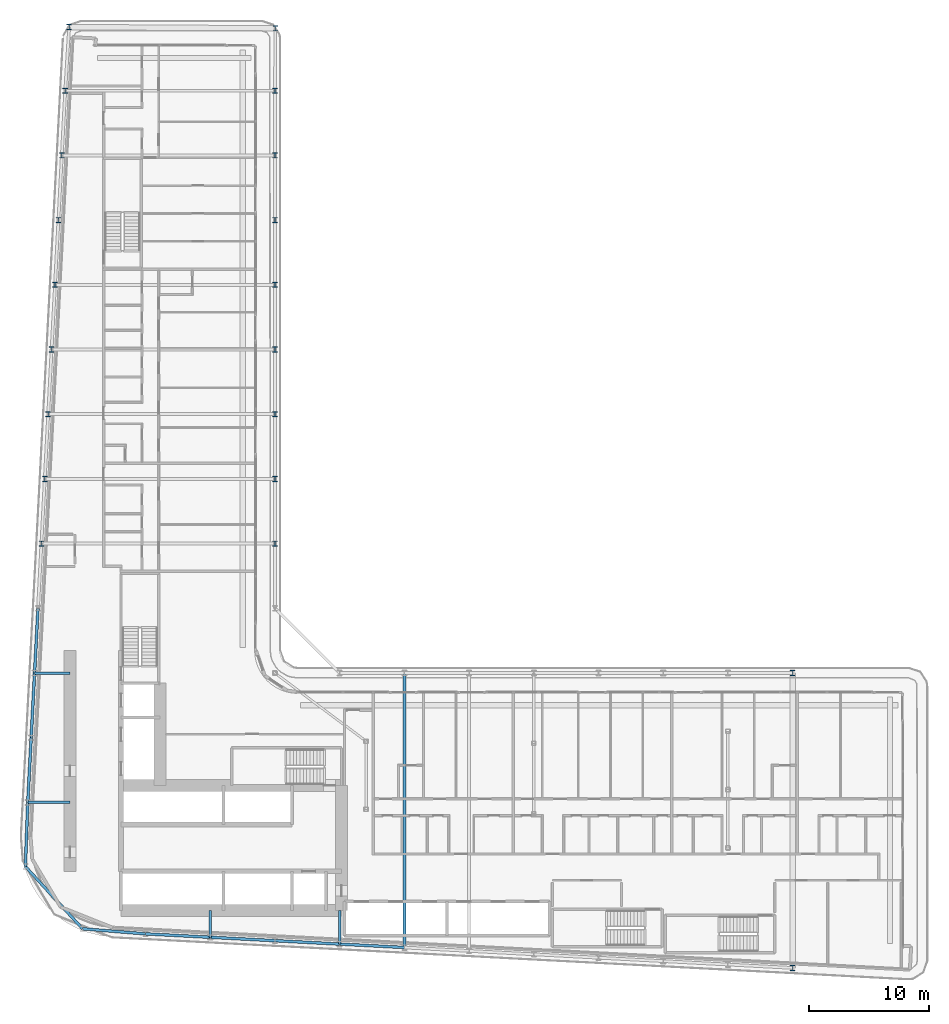
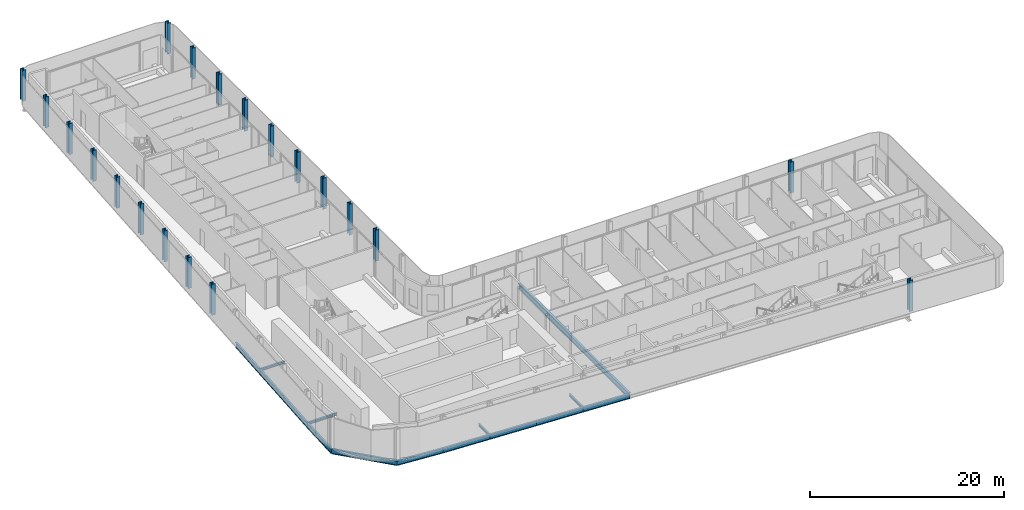
# One storey, part 3 of 28: 20 columns, 15 beams.
"""IFC4 building model written with IfcOpenShell, lengths in metres."""

from ifc_helpers import new_model, si_unit, direction, frame, origin, origin_2d, place, context, subcontext, project, spatial, i_section, extrude, material, material_profile, profile_set, type_object, element, save


model = new_model("IFC4")

# Units and contexts
model_context = context("Model", 3, precision=1e-05, world=origin(), true_north=direction((0.0, 1.0)))
body_context = subcontext(model_context, "Body", "Model", "MODEL_VIEW")
ifc_project = project(units=[si_unit("LENGTHUNIT", "METRE"), si_unit("AREAUNIT", "SQUARE_METRE"), si_unit("VOLUMEUNIT", "CUBIC_METRE"), si_unit("PLANEANGLEUNIT", "RADIAN"), si_unit("MASSUNIT", "GRAM", prefix="KILO")], contexts=[model_context])

# Site, building, storey
site_placement = place(None, origin())
site = spatial("IfcSite", under=ifc_project, at=site_placement, CompositionType="ELEMENT")
building_placement = place(site_placement, origin())
building = spatial("IfcBuilding", under=site, at=building_placement, Name="Kheshtan School and Residences Tower", CompositionType="ELEMENT")
storey_placement = place(building_placement, frame((0.0, 0.0, 73.39990234375)))
storey = spatial("IfcBuildingStorey", under=building, at=storey_placement, Name="L17", CompositionType="ELEMENT", Elevation=73.39990234375)

# Columns
ifc_material = material(Name="Steel ASTM A992 Grade 50", Category="steel")
ifc_material_profile_1 = material_profile(ifc_material, i_section(OverallWidth=0.424072265625, OverallDepth=0.47412109375, WebThickness=0.047607421875, FlangeThickness=0.0771484375, FilletRadius=0.01416015625, at=origin_2d()), Name="W360x634")
ifc_profile_set_1 = profile_set([ifc_material_profile_1], Name="Steel ASTM A992 Grade 50")
column_type = type_object("IfcColumnType", Name="Column C1 W360x634 ASTM A992 Grade 50", PredefinedType="COLUMN", material=ifc_profile_set_1)
for number, where, z_axis, x_axis, name in (
    (1, (90.800048828125, 20.989990234375, 0.0), (0.0, 0.0, 1.0), (1.0, 0.0, 0.0), "Column C006"),
    (2, (90.800048828125, 45.60009765625, 0.0), (0.0, 0.0, 1.0), (1.0, 0.0, 0.0), "Column C068"),
    (3, (28.10595703125, 56.39990234375, 0.0), (0.0, 0.0, 1.0), (1.0, 0.0, 0.0), "Column C080"),
    (4, (47.60009765625, 56.39990234375, 0.0), (0.0, 0.0, 1.0), (1.0, 0.0, 0.0), "Column C081"),
    (5, (28.389892578125, 61.800048828125, 0.0), (0.0, 0.0, 1.0), (1.0, 0.0, 0.0), "Column C082"),
    (6, (47.60009765625, 61.800048828125, 0.0), (0.0, 0.0, 1.0), (1.0, 0.0, 0.0), "Column C083"),
    (7, (28.674072265625, 67.199951171875, 0.0), (0.0, 0.0, 1.0), (1.0, 0.0, 0.0), "Column C084"),
    (8, (47.60009765625, 67.199951171875, 0.0), (0.0, 0.0, 1.0), (1.0, 0.0, 0.0), "Column C085"),
    (9, (28.9580078125, 72.60009765625, 0.0), (0.0, 0.0, 1.0), (1.0, 0.0, 0.0), "Column C086"),
    (10, (47.60009765625, 72.60009765625, 0.0), (0.0, 0.0, 1.0), (1.0, 0.0, 0.0), "Column C087"),
    (11, (29.242919921875, 78.0, 0.0), (0.0, 0.0, 1.0), (1.0, 0.0, 0.0), "Column C088"),
    (12, (47.60009765625, 78.0, 0.0), (0.0, 0.0, 1.0), (1.0, 0.0, 0.0), "Column C089"),
    (13, (29.527099609375, 83.39990234375, 0.0), (0.0, 0.0, 1.0), (1.0, 0.0, 0.0), "Column C090"),
    (14, (47.60009765625, 83.39990234375, 0.0), (0.0, 0.0, 1.0), (1.0, 0.0, 0.0), "Column C091"),
    (15, (29.81103515625, 88.800048828125, 0.0), (0.0, 0.0, 1.0), (1.0, 0.0, 0.0), "Column C098"),
    (16, (47.60009765625, 88.800048828125, 0.0), (0.0, 0.0, 1.0), (1.0, 0.0, 0.0), "Column C099"),
    (17, (30.094970703125, 94.199951171875, 0.0), (0.0, 0.0, 1.0), (1.0, 0.0, 0.0), "Column C106"),
    (18, (47.60009765625, 94.199951171875, 0.0), (0.0, 0.0, 1.0), (1.0, 0.0, 0.0), "Column C107"),
    (19, (47.6298828125, 99.402099609375, 0.0), (0.0, 0.0, 1.0), (1.0, 0.0, 0.0), "Column C113"),
    (20, (30.424072265625, 99.510009765625, 0.0), (0.0, 0.0, 1.0), (1.0, 0.0, 0.0), "Column C121"),
):
    element("IfcColumn", number, at=place(storey_placement, frame(where, z_axis=z_axis, x_axis=x_axis)), inside=storey, type_object=column_type, Name=name, PredefinedType="COLUMN", context=body_context, shape_type="SweptSolid", body=[
        extrude(i_section(OverallWidth=0.424072265625, OverallDepth=0.47412109375, WebThickness=0.047607421875, FlangeThickness=0.0771484375, FilletRadius=0.01416015625, at=origin_2d()), origin(), (0.0, 0.0, 1.0), 3.900146484375),
    ])

# Beams
ifc_material_profile_2 = material_profile(ifc_material, i_section(OverallWidth=0.202880859375, OverallDepth=0.302978515625, WebThickness=0.007568359375, FlangeThickness=0.01318359375, FilletRadius=0.009033203125, at=origin_2d()), Name="W310x60")
ifc_profile_set_2 = profile_set([ifc_material_profile_2], Name="Steel ASTM A992 Grade 50")
beam_type_1 = type_object("IfcBeamType", Name="Beam FB1 W310x60 ASTM A992 Grade 50", PredefinedType="BEAM", material=ifc_profile_set_2)
beam_1_placement = place(storey_placement, frame((53.0, 22.97998046875, -0.301513671875), z_axis=(0.0, 1.0, 0.0), x_axis=(-1.0, 0.0, 0.0)))
element("IfcBeam", 21, at=beam_1_placement, inside=storey, type_object=beam_type_1, Name="Floor beam C019", PredefinedType="BEAM", context=body_context, shape_type="SweptSolid", body=[
    extrude(i_section(OverallWidth=0.202880859375, OverallDepth=0.302978515625, WebThickness=0.007568359375, FlangeThickness=0.01318359375, FilletRadius=0.009033203125, at=origin_2d()), origin(), (0.0, 0.0, 1.0), 2.820068359375),
])
beam_2_placement = place(storey_placement, frame((42.199951171875, 23.548095703125, -0.301513671875), z_axis=(0.0, 1.0, 0.0), x_axis=(-1.0, 0.0, 0.0)))
element("IfcBeam", 22, at=beam_2_placement, inside=storey, type_object=beam_type_1, Name="Floor beam C021", PredefinedType="BEAM", context=body_context, shape_type="SweptSolid", body=[
    extrude(i_section(OverallWidth=0.202880859375, OverallDepth=0.302978515625, WebThickness=0.007568359375, FlangeThickness=0.01318359375, FilletRadius=0.009033203125, at=origin_2d()), origin(), (0.0, 0.0, 1.0), 2.251953125),
])
beam_3_placement = place(storey_placement, frame((26.968994140625, 34.800048828125, -0.301513671875), z_axis=(1.0, 0.0, 0.0), x_axis=(0.0, 1.0, 0.0)))
element("IfcBeam", 23, at=beam_3_placement, inside=storey, type_object=beam_type_1, Name="Floor beam C052", PredefinedType="BEAM", context=body_context, shape_type="SweptSolid", body=[
    extrude(i_section(OverallWidth=0.202880859375, OverallDepth=0.302978515625, WebThickness=0.007568359375, FlangeThickness=0.01318359375, FilletRadius=0.009033203125, at=origin_2d()), origin(), (0.0, 0.0, 1.0), 3.531005859375),
])
beam_4_placement = place(storey_placement, frame((27.537109375, 45.60009765625, -0.301513671875), z_axis=(1.0, 0.0, 0.0), x_axis=(0.0, 1.0, 0.0)))
element("IfcBeam", 24, at=beam_4_placement, inside=storey, type_object=beam_type_1, Name="Floor beam C059", PredefinedType="BEAM", context=body_context, shape_type="SweptSolid", body=[
    extrude(i_section(OverallWidth=0.202880859375, OverallDepth=0.302978515625, WebThickness=0.007568359375, FlangeThickness=0.01318359375, FilletRadius=0.009033203125, at=origin_2d()), origin(), (0.0, 0.0, 1.0), 2.962890625),
])
ifc_material_profile_3 = material_profile(ifc_material, i_section(OverallWidth=0.2529296875, OverallDepth=0.677978515625, WebThickness=0.01171875, FlangeThickness=0.016357421875, FilletRadius=0.0146484375, at=origin_2d()), Name="W690x125")
ifc_profile_set_3 = profile_set([ifc_material_profile_3], Name="Steel ASTM A992 Grade 50")
beam_type_2 = type_object("IfcBeamType", Name="Beam FB6 W690x125 ASTM A992 Grade 50", PredefinedType="BEAM", material=ifc_profile_set_3)
beam_5_placement = place(storey_placement, frame((58.39990234375, 45.60009765625, -0.489013671875), z_axis=(0.0, -1.0, 0.0), x_axis=(1.0, 0.0, 0.0)))
element("IfcBeam", 25, at=beam_5_placement, inside=storey, type_object=beam_type_2, Name="Floor beam C062", PredefinedType="BEAM", context=body_context, shape_type="SweptSolid", body=[
    extrude(i_section(OverallWidth=0.2529296875, OverallDepth=0.677978515625, WebThickness=0.01171875, FlangeThickness=0.016357421875, FilletRadius=0.0146484375, at=origin_2d()), origin(), (0.0, 0.0, 1.0), 22.905029296875),
])
ifc_material_profile_4 = material_profile(ifc_material, i_section(OverallWidth=0.22998046875, OverallDepth=0.616943359375, WebThickness=0.01318359375, FlangeThickness=0.022216796875, FilletRadius=0.0185546875, at=origin_2d()), Name="W610x140")
ifc_profile_set_4 = profile_set([ifc_material_profile_4], Name="Steel ASTM A992 Grade 50")
beam_type_3 = type_object("IfcBeamType", Name="Beam SP1 W610x140 ASTM A992 Grade 50", PredefinedType="BEAM", material=ifc_profile_set_4)
for number, where, z_axis, x_axis, name in (
    (26, (58.39990234375, 22.695068359375, -0.45849609375), (-0.998610961136, 0.052689166816, 0.0), (-0.052689166816, -0.998610961136, 0.0), "Spandrel beam C018-C019"),
    (27, (53.0, 22.97998046875, -0.45849609375), (-0.998620447272, 0.05250906864, 0.0), (-0.05250906864, -0.998620447272, 0.0), "Spandrel beam C019-C020"),
):
    element("IfcBeam", number, at=place(storey_placement, frame(where, z_axis=z_axis, x_axis=x_axis)), inside=storey, type_object=beam_type_3, Name=name, PredefinedType="BEAM", context=body_context, shape_type="SweptSolid", body=[
        extrude(i_section(OverallWidth=0.22998046875, OverallDepth=0.616943359375, WebThickness=0.01318359375, FlangeThickness=0.022216796875, FilletRadius=0.0185546875, at=origin_2d()), origin(), (0.0, 0.0, 1.0), 5.407470703125),
    ])
beam_6_placement = place(storey_placement, frame((47.60009765625, 23.263916015625, -0.45849609375), z_axis=(-0.998618203458, 0.052551724256, 0.0), x_axis=(-0.052551724256, -0.998618203458, 0.0)))
element("IfcBeam", 28, at=beam_6_placement, inside=storey, type_object=beam_type_3, Name="Spandrel beam C020-C021", PredefinedType="BEAM", context=body_context, shape_type="SweptSolid", body=[
    extrude(i_section(OverallWidth=0.22998046875, OverallDepth=0.616943359375, WebThickness=0.01318359375, FlangeThickness=0.022216796875, FilletRadius=0.0185546875, at=origin_2d()), origin(), (0.0, 0.0, 1.0), 5.40771484375),
])
beam_7_placement = place(storey_placement, frame((42.199951171875, 23.548095703125, -0.45849609375), z_axis=(-0.998620447272, 0.05250906864, 0.0), x_axis=(-0.05250906864, -0.998620447272, 0.0)))
element("IfcBeam", 29, at=beam_7_placement, inside=storey, type_object=beam_type_3, Name="Spandrel beam C021-C022", PredefinedType="BEAM", context=body_context, shape_type="SweptSolid", body=[
    extrude(i_section(OverallWidth=0.22998046875, OverallDepth=0.616943359375, WebThickness=0.01318359375, FlangeThickness=0.022216796875, FilletRadius=0.0185546875, at=origin_2d()), origin(), (0.0, 0.0, 1.0), 5.407470703125),
])
beam_8_placement = place(storey_placement, frame((36.800048828125, 23.83203125, -0.45849609375), z_axis=(-0.996748565693, 0.08057479003, 0.0), x_axis=(-0.08057479003, -0.996748565693, 0.0)))
element("IfcBeam", 30, at=beam_8_placement, inside=storey, type_object=beam_type_3, Name="Spandrel beam C022-C025", PredefinedType="BEAM", context=body_context, shape_type="SweptSolid", body=[
    extrude(i_section(OverallWidth=0.22998046875, OverallDepth=0.616943359375, WebThickness=0.01318359375, FlangeThickness=0.022216796875, FilletRadius=0.0185546875, at=origin_2d()), origin(), (0.0, 0.0, 1.0), 5.275146484375),
])
beam_9_placement = place(storey_placement, frame((31.5419921875, 24.257080078125, -0.45849609375), z_axis=(-0.676418406149, 0.736517576045, 0.0), x_axis=(-0.736517576045, -0.676418406149, 0.0)))
element("IfcBeam", 31, at=beam_9_placement, inside=storey, type_object=beam_type_3, Name="Spandrel beam C025-C038", PredefinedType="BEAM", context=body_context, shape_type="SweptSolid", body=[
    extrude(i_section(OverallWidth=0.22998046875, OverallDepth=0.616943359375, WebThickness=0.01318359375, FlangeThickness=0.022216796875, FilletRadius=0.0185546875, at=origin_2d()), origin(), (0.0, 0.0, 1.0), 7.05615234375),
])
beam_10_placement = place(storey_placement, frame((26.76904296875, 29.4541015625, -0.45849609375), z_axis=(0.037376249491, 0.999301263871, 0.0), x_axis=(-0.999301263871, 0.037376249491, 0.0)))
element("IfcBeam", 32, at=beam_10_placement, inside=storey, type_object=beam_type_3, Name="Spandrel beam C038-C052", PredefinedType="BEAM", context=body_context, shape_type="SweptSolid", body=[
    extrude(i_section(OverallWidth=0.22998046875, OverallDepth=0.616943359375, WebThickness=0.01318359375, FlangeThickness=0.022216796875, FilletRadius=0.0185546875, at=origin_2d()), origin(), (0.0, 0.0, 1.0), 5.349609375),
])
beam_11_placement = place(storey_placement, frame((26.968994140625, 34.800048828125, -0.45849609375), z_axis=(0.05250906864, 0.998620447272, 0.0), x_axis=(-0.998620447272, 0.05250906864, 0.0)))
element("IfcBeam", 33, at=beam_11_placement, inside=storey, type_object=beam_type_3, Name="Spandrel beam C052-C056", PredefinedType="BEAM", context=body_context, shape_type="SweptSolid", body=[
    extrude(i_section(OverallWidth=0.22998046875, OverallDepth=0.616943359375, WebThickness=0.01318359375, FlangeThickness=0.022216796875, FilletRadius=0.0185546875, at=origin_2d()), origin(), (0.0, 0.0, 1.0), 5.407470703125),
])
beam_12_placement = place(storey_placement, frame((27.2529296875, 40.199951171875, -0.45849609375), z_axis=(0.052551724256, 0.998618203458, 0.0), x_axis=(-0.998618203458, 0.052551724256, 0.0)))
element("IfcBeam", 34, at=beam_12_placement, inside=storey, type_object=beam_type_3, Name="Spandrel beam C056-C059", PredefinedType="BEAM", context=body_context, shape_type="SweptSolid", body=[
    extrude(i_section(OverallWidth=0.22998046875, OverallDepth=0.616943359375, WebThickness=0.01318359375, FlangeThickness=0.022216796875, FilletRadius=0.0185546875, at=origin_2d()), origin(), (0.0, 0.0, 1.0), 5.40771484375),
])
beam_13_placement = place(storey_placement, frame((27.537109375, 45.60009765625, -0.45849609375), z_axis=(0.052689166816, 0.998610961136, 0.0), x_axis=(-0.998610961136, 0.052689166816, 0.0)))
element("IfcBeam", 35, at=beam_13_placement, inside=storey, type_object=beam_type_3, Name="Spandrel beam C059-C078", PredefinedType="BEAM", context=body_context, shape_type="SweptSolid", body=[
    extrude(i_section(OverallWidth=0.22998046875, OverallDepth=0.616943359375, WebThickness=0.01318359375, FlangeThickness=0.022216796875, FilletRadius=0.0185546875, at=origin_2d()), origin(), (0.0, 0.0, 1.0), 5.407470703125),
])

save(model, "model.ifc")
